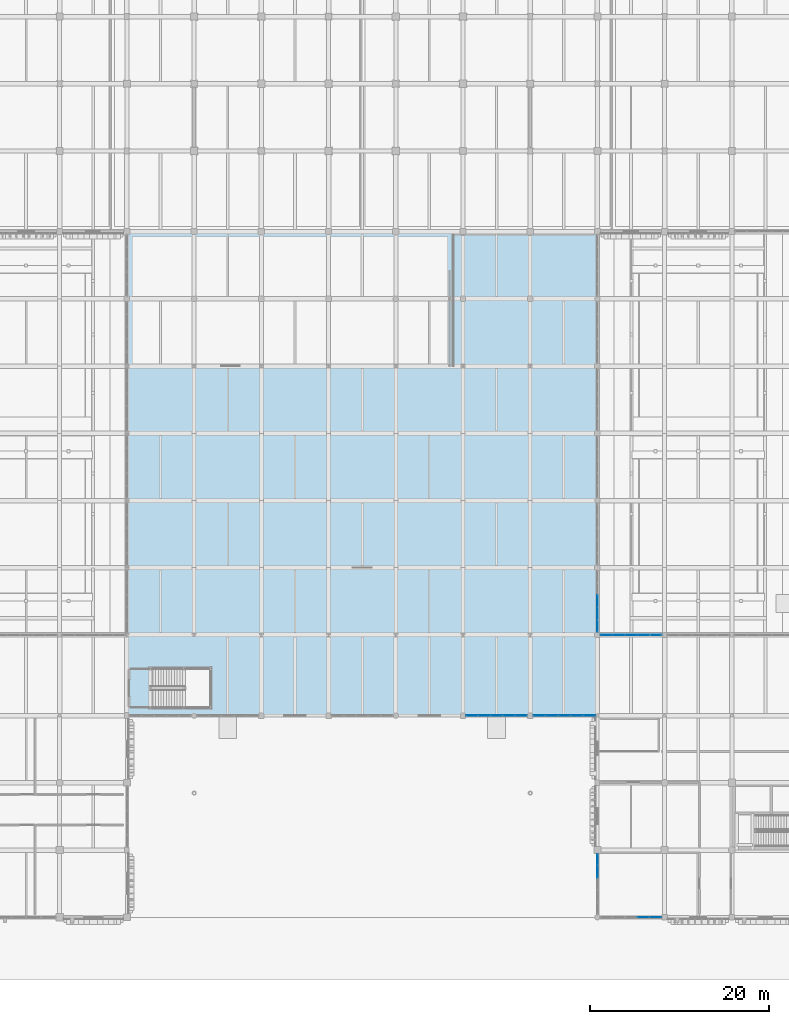
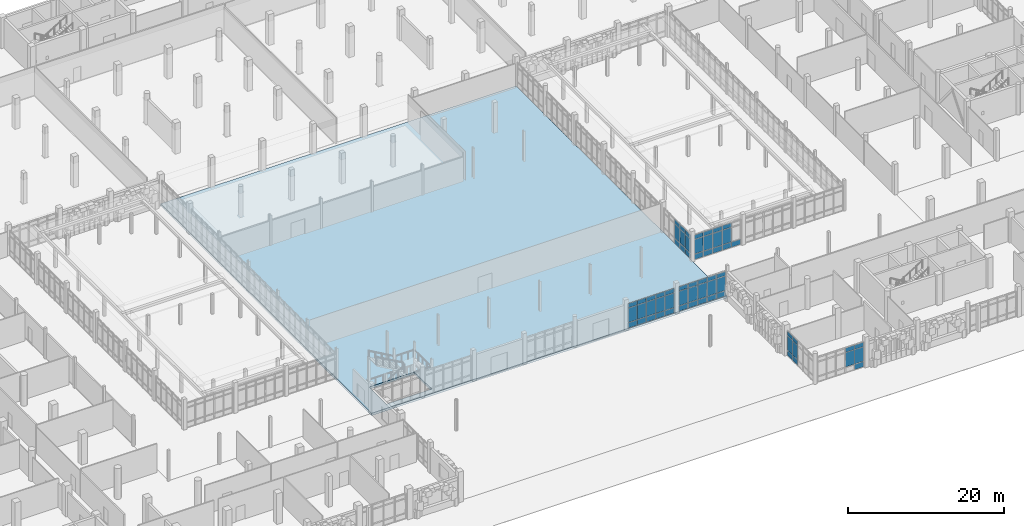
# One storey, part 75 of 125: 63 plates, 1 slab, 6 elements without a shape of their own.
"""IFC4 building model written with IfcOpenShell, lengths in metres."""

from ifc_helpers import new_model, si_unit, direction, frame, origin, origin_2d, place, context, subcontext, project, spatial, polyline, rectangle, outline, extrude, material, layer, layer_set, type_object, element, aggregate, save


model = new_model("IFC4")

# Units and contexts
model_context = context("Model", 3, precision=1e-05, world=origin(), true_north=direction((0.0, 1.0)))
body_context = subcontext(model_context, "Body", "Model", "MODEL_VIEW")
ifc_project = project(units=[si_unit("LENGTHUNIT", "METRE"), si_unit("AREAUNIT", "SQUARE_METRE"), si_unit("VOLUMEUNIT", "CUBIC_METRE"), si_unit("PLANEANGLEUNIT", "RADIAN"), si_unit("MASSUNIT", "GRAM", prefix="KILO")], contexts=[model_context])

# Site, building, storey
site_placement = place(None, origin())
site = spatial("IfcSite", under=ifc_project, at=site_placement, CompositionType="ELEMENT")
building_placement = place(site_placement, origin())
building = spatial("IfcBuilding", under=site, at=building_placement, Name="Dalvernix Boulevard General Hospital", CompositionType="ELEMENT")
storey_placement = place(building_placement, origin())
storey = spatial("IfcBuildingStorey", under=building, at=storey_placement, Name="L00", CompositionType="ELEMENT", Elevation=0.0)

# Curtain wall, plates
ifc_material_1 = material(Name="Thermally broken aluminium and solar-control glass curtain wall", Category="aluminium")
ifc_layer_1 = layer(ifc_material_1, 0.159912109375)
ifc_layer_set_1 = layer_set([ifc_layer_1], Name="Thermally broken aluminium and solar-control glass curtain wall (CW-CW-A-69x40)")
curtain_wall_type_1 = type_object("IfcCurtainWallType", Name="CW-CW-A-69x40", PredefinedType="USERDEFINED", material=ifc_layer_set_1)
curtain_wall_1_placement = place(storey_placement, origin())
curtain_wall_1 = element("IfcCurtainWall", 1, at=curtain_wall_1_placement, inside=storey, type_object=curtain_wall_type_1, Name="L00 curtain wall CW-A-69x40 15-0", ObjectType="GLAZED FACADE", PredefinedType="USERDEFINED")
ifc_material_2 = material(Name="Double-glazed solar-control low-emissivity glass", Category="glass")
ifc_layer_2 = layer(ifc_material_2, 0.02392578125)
ifc_layer_set_2 = layer_set([ifc_layer_2], Name="Double-glazed solar-control low-emissivity glass (PLT-CW-P1)")
plate_type_1 = type_object("IfcPlateType", Name="PLT-CW-P1", PredefinedType="CURTAIN_PANEL", material=ifc_layer_set_2)
plate_1_placement = place(storey_placement, frame((118.987060546875, 0.0, 0.06005859375), z_axis=(0.0, 0.0, 1.0), x_axis=(-1.0, 0.0, 0.0)))
plate_1 = element("IfcPlate", 2, at=plate_1_placement, type_object=plate_type_1, Name="CW-A-69x40 panel 1.1", PredefinedType="CURTAIN_PANEL", context=body_context, shape_type="SweptSolid", body=[
    extrude(rectangle(XDim=1.285888671875, YDim=0.02392578125, at=origin_2d()), origin(), (0.0, 0.0, 1.0), 0.81005859375),
])
plate_2_placement = place(storey_placement, frame((118.987060546875, 0.0, 0.93017578125), z_axis=(0.0, 0.0, 1.0), x_axis=(-1.0, 0.0, 0.0)))
plate_2 = element("IfcPlate", 3, at=plate_2_placement, type_object=plate_type_1, Name="CW-A-69x40 panel 1.2", PredefinedType="CURTAIN_PANEL", context=body_context, shape_type="SweptSolid", body=[
    extrude(rectangle(XDim=1.285888671875, YDim=0.02392578125, at=origin_2d()), origin(), (0.0, 0.0, 1.0), 2.239990234375),
])
plate_3_placement = place(storey_placement, frame((118.987060546875, 0.0, 3.22998046875), z_axis=(0.0, 0.0, 1.0), x_axis=(-1.0, 0.0, 0.0)))
plate_3 = element("IfcPlate", 4, at=plate_3_placement, type_object=plate_type_1, Name="CW-A-69x40 panel 1.3", PredefinedType="CURTAIN_PANEL", context=body_context, shape_type="SweptSolid", body=[
    extrude(rectangle(XDim=1.285888671875, YDim=0.02392578125, at=origin_2d()), origin(), (0.0, 0.0, 1.0), 0.659912109375),
])
plate_4_placement = place(storey_placement, frame((117.6259765625, 0.0, 0.93017578125), z_axis=(0.0, 0.0, 1.0), x_axis=(-1.0, 0.0, 0.0)))
plate_4 = element("IfcPlate", 5, at=plate_4_placement, type_object=plate_type_1, Name="CW-A-69x40 panel 2.2", PredefinedType="CURTAIN_PANEL", context=body_context, shape_type="SweptSolid", body=[
    extrude(rectangle(XDim=1.31591796875, YDim=0.02392578125, at=origin_2d()), origin(), (0.0, 0.0, 1.0), 2.239990234375),
])
plate_5_placement = place(storey_placement, frame((117.6259765625, 0.0, 3.22998046875), z_axis=(0.0, 0.0, 1.0), x_axis=(-1.0, 0.0, 0.0)))
plate_5 = element("IfcPlate", 6, at=plate_5_placement, type_object=plate_type_1, Name="CW-A-69x40 panel 2.3", PredefinedType="CURTAIN_PANEL", context=body_context, shape_type="SweptSolid", body=[
    extrude(rectangle(XDim=1.31591796875, YDim=0.02392578125, at=origin_2d()), origin(), (0.0, 0.0, 1.0), 0.659912109375),
])
aggregate(curtain_wall_1, [plate_1, plate_2, plate_3, plate_4, plate_5])

ifc_layer_3 = layer(ifc_material_1, 0.159912109375)
ifc_layer_set_3 = layer_set([ifc_layer_3], Name="Thermally broken aluminium and solar-control glass curtain wall (CW-CW-A-68x39)")
curtain_wall_type_2 = type_object("IfcCurtainWallType", Name="CW-CW-A-68x39", PredefinedType="USERDEFINED", material=ifc_layer_set_3)
curtain_wall_2_placement = place(storey_placement, origin())
curtain_wall_2 = element("IfcCurtainWall", 7, at=curtain_wall_2_placement, inside=storey, type_object=curtain_wall_type_2, Name="L00 curtain wall CW-A-68x39 15-0", ObjectType="GLAZED FACADE", PredefinedType="USERDEFINED")
plate_6_placement = place(storey_placement, frame((112.5, 5.073486328125, 0.06005859375), z_axis=(0.0, 0.0, 1.0), x_axis=(0.0, 1.0, 0.0)))
plate_6 = element("IfcPlate", 8, at=plate_6_placement, type_object=plate_type_1, Name="CW-A-68x39 panel 4.1", PredefinedType="CURTAIN_PANEL", context=body_context, shape_type="SweptSolid", body=[
    extrude(rectangle(XDim=1.301025390625, YDim=0.02392578125, at=origin_2d()), origin(), (0.0, 0.0, 1.0), 0.81005859375),
])
plate_7_placement = place(storey_placement, frame((112.5, 5.073486328125, 0.929931640625), z_axis=(0.0, 0.0, 1.0), x_axis=(0.0, 1.0, 0.0)))
plate_7 = element("IfcPlate", 9, at=plate_7_placement, type_object=plate_type_1, Name="CW-A-68x39 panel 4.2", PredefinedType="CURTAIN_PANEL", context=body_context, shape_type="SweptSolid", body=[
    extrude(rectangle(XDim=1.301025390625, YDim=0.02392578125, at=origin_2d()), origin(), (0.0, 0.0, 1.0), 2.18994140625),
])
plate_8_placement = place(storey_placement, frame((112.5, 5.073486328125, 3.18017578125), z_axis=(0.0, 0.0, 1.0), x_axis=(0.0, 1.0, 0.0)))
plate_8 = element("IfcPlate", 10, at=plate_8_placement, type_object=plate_type_1, Name="CW-A-68x39 panel 4.3", PredefinedType="CURTAIN_PANEL", context=body_context, shape_type="SweptSolid", body=[
    extrude(rectangle(XDim=1.301025390625, YDim=0.02392578125, at=origin_2d()), origin(), (0.0, 0.0, 1.0), 0.659912109375),
])
plate_9_placement = place(storey_placement, frame((112.5, 6.41943359375, 0.06005859375), z_axis=(0.0, 0.0, 1.0), x_axis=(0.0, 1.0, 0.0)))
plate_9 = element("IfcPlate", 11, at=plate_9_placement, type_object=plate_type_1, Name="CW-A-68x39 panel 5.1", PredefinedType="CURTAIN_PANEL", context=body_context, shape_type="SweptSolid", body=[
    extrude(rectangle(XDim=1.27099609375, YDim=0.02392578125, at=origin_2d()), origin(), (0.0, 0.0, 1.0), 0.81005859375),
])
plate_10_placement = place(storey_placement, frame((112.5, 6.41943359375, 0.929931640625), z_axis=(0.0, 0.0, 1.0), x_axis=(0.0, 1.0, 0.0)))
plate_10 = element("IfcPlate", 12, at=plate_10_placement, type_object=plate_type_1, Name="CW-A-68x39 panel 5.2", PredefinedType="CURTAIN_PANEL", context=body_context, shape_type="SweptSolid", body=[
    extrude(rectangle(XDim=1.27099609375, YDim=0.02392578125, at=origin_2d()), origin(), (0.0, 0.0, 1.0), 2.18994140625),
])
plate_11_placement = place(storey_placement, frame((112.5, 6.41943359375, 3.18017578125), z_axis=(0.0, 0.0, 1.0), x_axis=(0.0, 1.0, 0.0)))
plate_11 = element("IfcPlate", 13, at=plate_11_placement, type_object=plate_type_1, Name="CW-A-68x39 panel 5.3", PredefinedType="CURTAIN_PANEL", context=body_context, shape_type="SweptSolid", body=[
    extrude(rectangle(XDim=1.27099609375, YDim=0.02392578125, at=origin_2d()), origin(), (0.0, 0.0, 1.0), 0.659912109375),
])
aggregate(curtain_wall_2, [plate_6, plate_7, plate_8, plate_9, plate_10, plate_11])

ifc_layer_4 = layer(ifc_material_1, 0.179931640625)
ifc_layer_set_4 = layer_set([ifc_layer_4], Name="Thermally broken aluminium and solar-control glass curtain wall (CW-CW-B-69x40)")
curtain_wall_type_3 = type_object("IfcCurtainWallType", Name="CW-CW-B-69x40", PredefinedType="USERDEFINED", material=ifc_layer_set_4)
curtain_wall_3_placement = place(storey_placement, origin())
curtain_wall_3 = element("IfcCurtainWall", 14, at=curtain_wall_3_placement, inside=storey, type_object=curtain_wall_type_3, Name="L00 curtain wall CW-B-69x40 13-3", ObjectType="GLAZED FACADE", PredefinedType="USERDEFINED")
ifc_layer_5 = layer(ifc_material_2, 0.028076171875)
ifc_layer_set_5 = layer_set([ifc_layer_5], Name="Double-glazed solar-control low-emissivity glass (PLT-CW-P2)")
plate_type_2 = type_object("IfcPlateType", Name="PLT-CW-P2", PredefinedType="CURTAIN_PANEL", material=ifc_layer_set_5)
plate_12_placement = place(storey_placement, frame((103.98583984375, 22.5, 0.06494140625), z_axis=(0.0, 0.0, 1.0), x_axis=(-1.0, 0.0, 0.0)))
plate_12 = element("IfcPlate", 15, at=plate_12_placement, type_object=plate_type_2, Name="CW-B-69x40 panel 1.1", PredefinedType="CURTAIN_PANEL", context=body_context, shape_type="SweptSolid", body=[
    extrude(rectangle(XDim=1.278564453125, YDim=0.028076171875, at=origin_2d()), origin(), (0.0, 0.0, 1.0), 0.802490234375),
])
plate_13_placement = place(storey_placement, frame((103.98583984375, 22.5, 0.9326171875), z_axis=(0.0, 0.0, 1.0), x_axis=(-1.0, 0.0, 0.0)))
plate_13 = element("IfcPlate", 16, at=plate_13_placement, type_object=plate_type_2, Name="CW-B-69x40 panel 1.2", PredefinedType="CURTAIN_PANEL", context=body_context, shape_type="SweptSolid", body=[
    extrude(rectangle(XDim=1.278564453125, YDim=0.028076171875, at=origin_2d()), origin(), (0.0, 0.0, 1.0), 2.235107421875),
])
plate_14_placement = place(storey_placement, frame((103.98583984375, 22.5, 3.232421875), z_axis=(0.0, 0.0, 1.0), x_axis=(-1.0, 0.0, 0.0)))
plate_14 = element("IfcPlate", 17, at=plate_14_placement, type_object=plate_type_2, Name="CW-B-69x40 panel 1.3", PredefinedType="CURTAIN_PANEL", context=body_context, shape_type="SweptSolid", body=[
    extrude(rectangle(XDim=1.278564453125, YDim=0.028076171875, at=origin_2d()), origin(), (0.0, 0.0, 1.0), 0.652587890625),
])
plate_15_placement = place(storey_placement, frame((102.6259765625, 22.5, 0.06494140625), z_axis=(0.0, 0.0, 1.0), x_axis=(-1.0, 0.0, 0.0)))
plate_15 = element("IfcPlate", 18, at=plate_15_placement, type_object=plate_type_2, Name="CW-B-69x40 panel 2.1", PredefinedType="CURTAIN_PANEL", context=body_context, shape_type="SweptSolid", body=[
    extrude(rectangle(XDim=1.31103515625, YDim=0.028076171875, at=origin_2d()), origin(), (0.0, 0.0, 1.0), 0.802490234375),
])
plate_16_placement = place(storey_placement, frame((102.6259765625, 22.5, 0.9326171875), z_axis=(0.0, 0.0, 1.0), x_axis=(-1.0, 0.0, 0.0)))
plate_16 = element("IfcPlate", 19, at=plate_16_placement, type_object=plate_type_2, Name="CW-B-69x40 panel 2.2", PredefinedType="CURTAIN_PANEL", context=body_context, shape_type="SweptSolid", body=[
    extrude(rectangle(XDim=1.31103515625, YDim=0.028076171875, at=origin_2d()), origin(), (0.0, 0.0, 1.0), 2.235107421875),
])
plate_17_placement = place(storey_placement, frame((102.6259765625, 22.5, 3.232421875), z_axis=(0.0, 0.0, 1.0), x_axis=(-1.0, 0.0, 0.0)))
plate_17 = element("IfcPlate", 20, at=plate_17_placement, type_object=plate_type_2, Name="CW-B-69x40 panel 2.3", PredefinedType="CURTAIN_PANEL", context=body_context, shape_type="SweptSolid", body=[
    extrude(rectangle(XDim=1.31103515625, YDim=0.028076171875, at=origin_2d()), origin(), (0.0, 0.0, 1.0), 0.652587890625),
])
plate_18_placement = place(storey_placement, frame((101.25, 22.5, 0.06494140625), z_axis=(0.0, 0.0, 1.0), x_axis=(-1.0, 0.0, 0.0)))
plate_18 = element("IfcPlate", 21, at=plate_18_placement, type_object=plate_type_2, Name="CW-B-69x40 panel 3.1", PredefinedType="CURTAIN_PANEL", context=body_context, shape_type="SweptSolid", body=[
    extrude(rectangle(XDim=1.31103515625, YDim=0.028076171875, at=origin_2d()), origin(), (0.0, 0.0, 1.0), 0.802490234375),
])
plate_19_placement = place(storey_placement, frame((101.25, 22.5, 0.9326171875), z_axis=(0.0, 0.0, 1.0), x_axis=(-1.0, 0.0, 0.0)))
plate_19 = element("IfcPlate", 22, at=plate_19_placement, type_object=plate_type_2, Name="CW-B-69x40 panel 3.2", PredefinedType="CURTAIN_PANEL", context=body_context, shape_type="SweptSolid", body=[
    extrude(rectangle(XDim=1.31103515625, YDim=0.028076171875, at=origin_2d()), origin(), (0.0, 0.0, 1.0), 2.235107421875),
])
plate_20_placement = place(storey_placement, frame((101.25, 22.5, 3.232421875), z_axis=(0.0, 0.0, 1.0), x_axis=(-1.0, 0.0, 0.0)))
plate_20 = element("IfcPlate", 23, at=plate_20_placement, type_object=plate_type_2, Name="CW-B-69x40 panel 3.3", PredefinedType="CURTAIN_PANEL", context=body_context, shape_type="SweptSolid", body=[
    extrude(rectangle(XDim=1.31103515625, YDim=0.028076171875, at=origin_2d()), origin(), (0.0, 0.0, 1.0), 0.652587890625),
])
plate_21_placement = place(storey_placement, frame((99.8740234375, 22.5, 0.06494140625), z_axis=(0.0, 0.0, 1.0), x_axis=(-1.0, 0.0, 0.0)))
plate_21 = element("IfcPlate", 24, at=plate_21_placement, type_object=plate_type_2, Name="CW-B-69x40 panel 4.1", PredefinedType="CURTAIN_PANEL", context=body_context, shape_type="SweptSolid", body=[
    extrude(rectangle(XDim=1.31103515625, YDim=0.028076171875, at=origin_2d()), origin(), (0.0, 0.0, 1.0), 0.802490234375),
])
plate_22_placement = place(storey_placement, frame((99.8740234375, 22.5, 0.9326171875), z_axis=(0.0, 0.0, 1.0), x_axis=(-1.0, 0.0, 0.0)))
plate_22 = element("IfcPlate", 25, at=plate_22_placement, type_object=plate_type_2, Name="CW-B-69x40 panel 4.2", PredefinedType="CURTAIN_PANEL", context=body_context, shape_type="SweptSolid", body=[
    extrude(rectangle(XDim=1.31103515625, YDim=0.028076171875, at=origin_2d()), origin(), (0.0, 0.0, 1.0), 2.235107421875),
])
plate_23_placement = place(storey_placement, frame((99.8740234375, 22.5, 3.232421875), z_axis=(0.0, 0.0, 1.0), x_axis=(-1.0, 0.0, 0.0)))
plate_23 = element("IfcPlate", 26, at=plate_23_placement, type_object=plate_type_2, Name="CW-B-69x40 panel 4.3", PredefinedType="CURTAIN_PANEL", context=body_context, shape_type="SweptSolid", body=[
    extrude(rectangle(XDim=1.31103515625, YDim=0.028076171875, at=origin_2d()), origin(), (0.0, 0.0, 1.0), 0.652587890625),
])
plate_24_placement = place(storey_placement, frame((98.51416015625, 22.5, 0.06494140625), z_axis=(0.0, 0.0, 1.0), x_axis=(-1.0, 0.0, 0.0)))
plate_24 = element("IfcPlate", 27, at=plate_24_placement, type_object=plate_type_2, Name="CW-B-69x40 panel 5.1", PredefinedType="CURTAIN_PANEL", context=body_context, shape_type="SweptSolid", body=[
    extrude(rectangle(XDim=1.278564453125, YDim=0.028076171875, at=origin_2d()), origin(), (0.0, 0.0, 1.0), 0.802490234375),
])
plate_25_placement = place(storey_placement, frame((98.51416015625, 22.5, 0.9326171875), z_axis=(0.0, 0.0, 1.0), x_axis=(-1.0, 0.0, 0.0)))
plate_25 = element("IfcPlate", 28, at=plate_25_placement, type_object=plate_type_2, Name="CW-B-69x40 panel 5.2", PredefinedType="CURTAIN_PANEL", context=body_context, shape_type="SweptSolid", body=[
    extrude(rectangle(XDim=1.278564453125, YDim=0.028076171875, at=origin_2d()), origin(), (0.0, 0.0, 1.0), 2.235107421875),
])
plate_26_placement = place(storey_placement, frame((98.51416015625, 22.5, 3.232421875), z_axis=(0.0, 0.0, 1.0), x_axis=(-1.0, 0.0, 0.0)))
plate_26 = element("IfcPlate", 29, at=plate_26_placement, type_object=plate_type_2, Name="CW-B-69x40 panel 5.3", PredefinedType="CURTAIN_PANEL", context=body_context, shape_type="SweptSolid", body=[
    extrude(rectangle(XDim=1.278564453125, YDim=0.028076171875, at=origin_2d()), origin(), (0.0, 0.0, 1.0), 0.652587890625),
])
aggregate(curtain_wall_3, [plate_12, plate_13, plate_14, plate_15, plate_16, plate_17, plate_18, plate_19, plate_20, plate_21, plate_22, plate_23, plate_24, plate_25, plate_26])

ifc_layer_6 = layer(ifc_material_1, 0.179931640625)
ifc_layer_set_6 = layer_set([ifc_layer_6], Name="Thermally broken aluminium and solar-control glass curtain wall (CW-CW-B-69x39)")
curtain_wall_type_4 = type_object("IfcCurtainWallType", Name="CW-CW-B-69x39", PredefinedType="USERDEFINED", material=ifc_layer_set_6)
curtain_wall_4_placement = place(storey_placement, origin())
curtain_wall_4 = element("IfcCurtainWall", 30, at=curtain_wall_4_placement, inside=storey, type_object=curtain_wall_type_4, Name="L00 curtain wall CW-B-69x39 15-4", ObjectType="GLAZED FACADE", PredefinedType="USERDEFINED")
plate_27_placement = place(storey_placement, frame((112.5, 35.25, 0.06494140625), z_axis=(0.0, 0.0, 1.0), x_axis=(0.0, -1.0, 0.0)))
plate_27 = element("IfcPlate", 31, at=plate_27_placement, type_object=plate_type_2, Name="CW-B-69x39 panel 3.1", PredefinedType="CURTAIN_PANEL", context=body_context, shape_type="SweptSolid", body=[
    extrude(rectangle(XDim=1.31103515625, YDim=0.028076171875, at=origin_2d()), origin(), (0.0, 0.0, 1.0), 0.802490234375),
])
plate_28_placement = place(storey_placement, frame((112.5, 35.25, 0.932373046875), z_axis=(0.0, 0.0, 1.0), x_axis=(0.0, -1.0, 0.0)))
plate_28 = element("IfcPlate", 32, at=plate_28_placement, type_object=plate_type_2, Name="CW-B-69x39 panel 3.2", PredefinedType="CURTAIN_PANEL", context=body_context, shape_type="SweptSolid", body=[
    extrude(rectangle(XDim=1.31103515625, YDim=0.028076171875, at=origin_2d()), origin(), (0.0, 0.0, 1.0), 2.18505859375),
])
plate_29_placement = place(storey_placement, frame((112.5, 35.25, 3.1826171875), z_axis=(0.0, 0.0, 1.0), x_axis=(0.0, -1.0, 0.0)))
plate_29 = element("IfcPlate", 33, at=plate_29_placement, type_object=plate_type_2, Name="CW-B-69x39 panel 3.3", PredefinedType="CURTAIN_PANEL", context=body_context, shape_type="SweptSolid", body=[
    extrude(rectangle(XDim=1.31103515625, YDim=0.028076171875, at=origin_2d()), origin(), (0.0, 0.0, 1.0), 0.652587890625),
])
plate_30_placement = place(storey_placement, frame((112.5, 33.8740234375, 0.06494140625), z_axis=(0.0, 0.0, 1.0), x_axis=(0.0, -1.0, 0.0)))
plate_30 = element("IfcPlate", 34, at=plate_30_placement, type_object=plate_type_2, Name="CW-B-69x39 panel 4.1", PredefinedType="CURTAIN_PANEL", context=body_context, shape_type="SweptSolid", body=[
    extrude(rectangle(XDim=1.31103515625, YDim=0.028076171875, at=origin_2d()), origin(), (0.0, 0.0, 1.0), 0.802490234375),
])
plate_31_placement = place(storey_placement, frame((112.5, 33.8740234375, 0.932373046875), z_axis=(0.0, 0.0, 1.0), x_axis=(0.0, -1.0, 0.0)))
plate_31 = element("IfcPlate", 35, at=plate_31_placement, type_object=plate_type_2, Name="CW-B-69x39 panel 4.2", PredefinedType="CURTAIN_PANEL", context=body_context, shape_type="SweptSolid", body=[
    extrude(rectangle(XDim=1.31103515625, YDim=0.028076171875, at=origin_2d()), origin(), (0.0, 0.0, 1.0), 2.18505859375),
])
plate_32_placement = place(storey_placement, frame((112.5, 33.8740234375, 3.1826171875), z_axis=(0.0, 0.0, 1.0), x_axis=(0.0, -1.0, 0.0)))
plate_32 = element("IfcPlate", 36, at=plate_32_placement, type_object=plate_type_2, Name="CW-B-69x39 panel 4.3", PredefinedType="CURTAIN_PANEL", context=body_context, shape_type="SweptSolid", body=[
    extrude(rectangle(XDim=1.31103515625, YDim=0.028076171875, at=origin_2d()), origin(), (0.0, 0.0, 1.0), 0.652587890625),
])
plate_33_placement = place(storey_placement, frame((112.5, 32.51416015625, 0.06494140625), z_axis=(0.0, 0.0, 1.0), x_axis=(0.0, -1.0, 0.0)))
plate_33 = element("IfcPlate", 37, at=plate_33_placement, type_object=plate_type_2, Name="CW-B-69x39 panel 5.1", PredefinedType="CURTAIN_PANEL", context=body_context, shape_type="SweptSolid", body=[
    extrude(rectangle(XDim=1.278564453125, YDim=0.028076171875, at=origin_2d()), origin(), (0.0, 0.0, 1.0), 0.802490234375),
])
plate_34_placement = place(storey_placement, frame((112.5, 32.51416015625, 0.932373046875), z_axis=(0.0, 0.0, 1.0), x_axis=(0.0, -1.0, 0.0)))
plate_34 = element("IfcPlate", 38, at=plate_34_placement, type_object=plate_type_2, Name="CW-B-69x39 panel 5.2", PredefinedType="CURTAIN_PANEL", context=body_context, shape_type="SweptSolid", body=[
    extrude(rectangle(XDim=1.278564453125, YDim=0.028076171875, at=origin_2d()), origin(), (0.0, 0.0, 1.0), 2.18505859375),
])
plate_35_placement = place(storey_placement, frame((112.5, 32.51416015625, 3.1826171875), z_axis=(0.0, 0.0, 1.0), x_axis=(0.0, -1.0, 0.0)))
plate_35 = element("IfcPlate", 39, at=plate_35_placement, type_object=plate_type_2, Name="CW-B-69x39 panel 5.3", PredefinedType="CURTAIN_PANEL", context=body_context, shape_type="SweptSolid", body=[
    extrude(rectangle(XDim=1.278564453125, YDim=0.028076171875, at=origin_2d()), origin(), (0.0, 0.0, 1.0), 0.652587890625),
])
aggregate(curtain_wall_4, [plate_27, plate_28, plate_29, plate_30, plate_31, plate_32, plate_33, plate_34, plate_35])

curtain_wall_5_placement = place(storey_placement, origin())
curtain_wall_5 = element("IfcCurtainWall", 40, at=curtain_wall_5_placement, inside=storey, type_object=curtain_wall_type_3, Name="L00 curtain wall CW-B-69x40 15-4", ObjectType="GLAZED FACADE", PredefinedType="USERDEFINED")
plate_36_placement = place(storey_placement, frame((113.516845703125, 31.5, 0.06494140625), z_axis=(0.0, 0.0, 1.0), x_axis=(1.0, 0.0, 0.0)))
plate_36 = element("IfcPlate", 41, at=plate_36_placement, type_object=plate_type_2, Name="CW-B-69x40 panel 1.1", PredefinedType="CURTAIN_PANEL", context=body_context, shape_type="SweptSolid", body=[
    extrude(rectangle(XDim=1.283447265625, YDim=0.028076171875, at=origin_2d()), origin(), (0.0, 0.0, 1.0), 0.802490234375),
])
plate_37_placement = place(storey_placement, frame((113.516845703125, 31.5, 0.9326171875), z_axis=(0.0, 0.0, 1.0), x_axis=(1.0, 0.0, 0.0)))
plate_37 = element("IfcPlate", 42, at=plate_37_placement, type_object=plate_type_2, Name="CW-B-69x40 panel 1.2", PredefinedType="CURTAIN_PANEL", context=body_context, shape_type="SweptSolid", body=[
    extrude(rectangle(XDim=1.283447265625, YDim=0.028076171875, at=origin_2d()), origin(), (0.0, 0.0, 1.0), 2.235107421875),
])
plate_38_placement = place(storey_placement, frame((113.516845703125, 31.5, 3.232421875), z_axis=(0.0, 0.0, 1.0), x_axis=(1.0, 0.0, 0.0)))
plate_38 = element("IfcPlate", 43, at=plate_38_placement, type_object=plate_type_2, Name="CW-B-69x40 panel 1.3", PredefinedType="CURTAIN_PANEL", context=body_context, shape_type="SweptSolid", body=[
    extrude(rectangle(XDim=1.283447265625, YDim=0.028076171875, at=origin_2d()), origin(), (0.0, 0.0, 1.0), 0.652587890625),
])
plate_39_placement = place(storey_placement, frame((114.881591796875, 31.5, 0.06494140625), z_axis=(0.0, 0.0, 1.0), x_axis=(1.0, 0.0, 0.0)))
plate_39 = element("IfcPlate", 44, at=plate_39_placement, type_object=plate_type_2, Name="CW-B-69x40 panel 2.1", PredefinedType="CURTAIN_PANEL", context=body_context, shape_type="SweptSolid", body=[
    extrude(rectangle(XDim=1.31591796875, YDim=0.028076171875, at=origin_2d()), origin(), (0.0, 0.0, 1.0), 0.802490234375),
])
plate_40_placement = place(storey_placement, frame((114.881591796875, 31.5, 0.9326171875), z_axis=(0.0, 0.0, 1.0), x_axis=(1.0, 0.0, 0.0)))
plate_40 = element("IfcPlate", 45, at=plate_40_placement, type_object=plate_type_2, Name="CW-B-69x40 panel 2.2", PredefinedType="CURTAIN_PANEL", context=body_context, shape_type="SweptSolid", body=[
    extrude(rectangle(XDim=1.31591796875, YDim=0.028076171875, at=origin_2d()), origin(), (0.0, 0.0, 1.0), 2.235107421875),
])
plate_41_placement = place(storey_placement, frame((114.881591796875, 31.5, 3.232421875), z_axis=(0.0, 0.0, 1.0), x_axis=(1.0, 0.0, 0.0)))
plate_41 = element("IfcPlate", 46, at=plate_41_placement, type_object=plate_type_2, Name="CW-B-69x40 panel 2.3", PredefinedType="CURTAIN_PANEL", context=body_context, shape_type="SweptSolid", body=[
    extrude(rectangle(XDim=1.31591796875, YDim=0.028076171875, at=origin_2d()), origin(), (0.0, 0.0, 1.0), 0.652587890625),
])
plate_42_placement = place(storey_placement, frame((116.262451171875, 31.5, 0.06494140625), z_axis=(0.0, 0.0, 1.0), x_axis=(1.0, 0.0, 0.0)))
plate_42 = element("IfcPlate", 47, at=plate_42_placement, type_object=plate_type_2, Name="CW-B-69x40 panel 3.1", PredefinedType="CURTAIN_PANEL", context=body_context, shape_type="SweptSolid", body=[
    extrude(rectangle(XDim=1.31591796875, YDim=0.028076171875, at=origin_2d()), origin(), (0.0, 0.0, 1.0), 0.802490234375),
])
plate_43_placement = place(storey_placement, frame((116.262451171875, 31.5, 0.9326171875), z_axis=(0.0, 0.0, 1.0), x_axis=(1.0, 0.0, 0.0)))
plate_43 = element("IfcPlate", 48, at=plate_43_placement, type_object=plate_type_2, Name="CW-B-69x40 panel 3.2", PredefinedType="CURTAIN_PANEL", context=body_context, shape_type="SweptSolid", body=[
    extrude(rectangle(XDim=1.31591796875, YDim=0.028076171875, at=origin_2d()), origin(), (0.0, 0.0, 1.0), 2.235107421875),
])
plate_44_placement = place(storey_placement, frame((116.262451171875, 31.5, 3.232421875), z_axis=(0.0, 0.0, 1.0), x_axis=(1.0, 0.0, 0.0)))
plate_44 = element("IfcPlate", 49, at=plate_44_placement, type_object=plate_type_2, Name="CW-B-69x40 panel 3.3", PredefinedType="CURTAIN_PANEL", context=body_context, shape_type="SweptSolid", body=[
    extrude(rectangle(XDim=1.31591796875, YDim=0.028076171875, at=origin_2d()), origin(), (0.0, 0.0, 1.0), 0.652587890625),
])
plate_45_placement = place(storey_placement, frame((117.6435546875, 31.5, 0.06494140625), z_axis=(0.0, 0.0, 1.0), x_axis=(1.0, 0.0, 0.0)))
plate_45 = element("IfcPlate", 50, at=plate_45_placement, type_object=plate_type_2, Name="CW-B-69x40 panel 4.1", PredefinedType="CURTAIN_PANEL", context=body_context, shape_type="SweptSolid", body=[
    extrude(rectangle(XDim=1.31591796875, YDim=0.028076171875, at=origin_2d()), origin(), (0.0, 0.0, 1.0), 0.802490234375),
])
plate_46_placement = place(storey_placement, frame((117.6435546875, 31.5, 0.9326171875), z_axis=(0.0, 0.0, 1.0), x_axis=(1.0, 0.0, 0.0)))
plate_46 = element("IfcPlate", 51, at=plate_46_placement, type_object=plate_type_2, Name="CW-B-69x40 panel 4.2", PredefinedType="CURTAIN_PANEL", context=body_context, shape_type="SweptSolid", body=[
    extrude(rectangle(XDim=1.31591796875, YDim=0.028076171875, at=origin_2d()), origin(), (0.0, 0.0, 1.0), 2.235107421875),
])
plate_47_placement = place(storey_placement, frame((117.6435546875, 31.5, 3.232421875), z_axis=(0.0, 0.0, 1.0), x_axis=(1.0, 0.0, 0.0)))
plate_47 = element("IfcPlate", 52, at=plate_47_placement, type_object=plate_type_2, Name="CW-B-69x40 panel 4.3", PredefinedType="CURTAIN_PANEL", context=body_context, shape_type="SweptSolid", body=[
    extrude(rectangle(XDim=1.31591796875, YDim=0.028076171875, at=origin_2d()), origin(), (0.0, 0.0, 1.0), 0.652587890625),
])
plate_48_placement = place(storey_placement, frame((119.00830078125, 31.5, 0.06494140625), z_axis=(0.0, 0.0, 1.0), x_axis=(1.0, 0.0, 0.0)))
plate_48 = element("IfcPlate", 53, at=plate_48_placement, type_object=plate_type_2, Name="CW-B-69x40 panel 5.1", PredefinedType="CURTAIN_PANEL", context=body_context, shape_type="SweptSolid", body=[
    extrude(rectangle(XDim=1.283447265625, YDim=0.028076171875, at=origin_2d()), origin(), (0.0, 0.0, 1.0), 0.802490234375),
])
aggregate(curtain_wall_5, [plate_36, plate_37, plate_38, plate_39, plate_40, plate_41, plate_42, plate_43, plate_44, plate_45, plate_46, plate_47, plate_48])

ifc_layer_7 = layer(ifc_material_1, 0.199951171875)
ifc_layer_set_7 = layer_set([ifc_layer_7], Name="Thermally broken aluminium and solar-control glass curtain wall (CW-CW-C-70x40)")
curtain_wall_type_5 = type_object("IfcCurtainWallType", Name="CW-CW-C-70x40", PredefinedType="USERDEFINED", material=ifc_layer_set_7)
curtain_wall_6_placement = place(storey_placement, origin())
curtain_wall_6 = element("IfcCurtainWall", 54, at=curtain_wall_6_placement, inside=storey, type_object=curtain_wall_type_5, Name="L00 curtain wall CW-C-70x40 14-3", ObjectType="GLAZED FACADE", PredefinedType="USERDEFINED")
ifc_layer_8 = layer(ifc_material_2, 0.035888671875)
ifc_layer_set_8 = layer_set([ifc_layer_8], Name="Double-glazed solar-control low-emissivity glass (PLT-CW-P3)")
plate_type_3 = type_object("IfcPlateType", Name="PLT-CW-P3", PredefinedType="CURTAIN_PANEL", material=ifc_layer_set_8)
plate_49_placement = place(storey_placement, frame((111.610595703125, 22.5, 0.070068359375), z_axis=(0.0, 0.0, 1.0), x_axis=(-1.0, 0.0, 0.0)))
plate_49 = element("IfcPlate", 55, at=plate_49_placement, type_object=plate_type_3, Name="CW-C-70x40 panel 1.1", PredefinedType="CURTAIN_PANEL", context=body_context, shape_type="SweptSolid", body=[
    extrude(rectangle(XDim=1.299072265625, YDim=0.035888671875, at=origin_2d()), origin(), (0.0, 0.0, 1.0), 0.794921875),
])
plate_50_placement = place(storey_placement, frame((111.610595703125, 22.5, 0.93505859375), z_axis=(0.0, 0.0, 1.0), x_axis=(-1.0, 0.0, 0.0)))
plate_50 = element("IfcPlate", 56, at=plate_50_placement, type_object=plate_type_3, Name="CW-C-70x40 panel 1.2", PredefinedType="CURTAIN_PANEL", context=body_context, shape_type="SweptSolid", body=[
    extrude(rectangle(XDim=1.299072265625, YDim=0.035888671875, at=origin_2d()), origin(), (0.0, 0.0, 1.0), 2.22998046875),
])
plate_51_placement = place(storey_placement, frame((111.610595703125, 22.5, 3.235107421875), z_axis=(0.0, 0.0, 1.0), x_axis=(-1.0, 0.0, 0.0)))
plate_51 = element("IfcPlate", 57, at=plate_51_placement, type_object=plate_type_3, Name="CW-C-70x40 panel 1.3", PredefinedType="CURTAIN_PANEL", context=body_context, shape_type="SweptSolid", body=[
    extrude(rectangle(XDim=1.299072265625, YDim=0.035888671875, at=origin_2d()), origin(), (0.0, 0.0, 1.0), 0.64501953125),
])
plate_52_placement = place(storey_placement, frame((110.22412109375, 22.5, 0.070068359375), z_axis=(0.0, 0.0, 1.0), x_axis=(-1.0, 0.0, 0.0)))
plate_52 = element("IfcPlate", 58, at=plate_52_placement, type_object=plate_type_3, Name="CW-C-70x40 panel 2.1", PredefinedType="CURTAIN_PANEL", context=body_context, shape_type="SweptSolid", body=[
    extrude(rectangle(XDim=1.333984375, YDim=0.035888671875, at=origin_2d()), origin(), (0.0, 0.0, 1.0), 0.794921875),
])
plate_53_placement = place(storey_placement, frame((110.22412109375, 22.5, 0.93505859375), z_axis=(0.0, 0.0, 1.0), x_axis=(-1.0, 0.0, 0.0)))
plate_53 = element("IfcPlate", 59, at=plate_53_placement, type_object=plate_type_3, Name="CW-C-70x40 panel 2.2", PredefinedType="CURTAIN_PANEL", context=body_context, shape_type="SweptSolid", body=[
    extrude(rectangle(XDim=1.333984375, YDim=0.035888671875, at=origin_2d()), origin(), (0.0, 0.0, 1.0), 2.22998046875),
])
plate_54_placement = place(storey_placement, frame((110.22412109375, 22.5, 3.235107421875), z_axis=(0.0, 0.0, 1.0), x_axis=(-1.0, 0.0, 0.0)))
plate_54 = element("IfcPlate", 60, at=plate_54_placement, type_object=plate_type_3, Name="CW-C-70x40 panel 2.3", PredefinedType="CURTAIN_PANEL", context=body_context, shape_type="SweptSolid", body=[
    extrude(rectangle(XDim=1.333984375, YDim=0.035888671875, at=origin_2d()), origin(), (0.0, 0.0, 1.0), 0.64501953125),
])
plate_55_placement = place(storey_placement, frame((108.820068359375, 22.5, 0.070068359375), z_axis=(0.0, 0.0, 1.0), x_axis=(-1.0, 0.0, 0.0)))
plate_55 = element("IfcPlate", 61, at=plate_55_placement, type_object=plate_type_3, Name="CW-C-70x40 panel 3.1", PredefinedType="CURTAIN_PANEL", context=body_context, shape_type="SweptSolid", body=[
    extrude(rectangle(XDim=1.333984375, YDim=0.035888671875, at=origin_2d()), origin(), (0.0, 0.0, 1.0), 0.794921875),
])
plate_56_placement = place(storey_placement, frame((108.820068359375, 22.5, 0.93505859375), z_axis=(0.0, 0.0, 1.0), x_axis=(-1.0, 0.0, 0.0)))
plate_56 = element("IfcPlate", 62, at=plate_56_placement, type_object=plate_type_3, Name="CW-C-70x40 panel 3.2", PredefinedType="CURTAIN_PANEL", context=body_context, shape_type="SweptSolid", body=[
    extrude(rectangle(XDim=1.333984375, YDim=0.035888671875, at=origin_2d()), origin(), (0.0, 0.0, 1.0), 2.22998046875),
])
plate_57_placement = place(storey_placement, frame((108.820068359375, 22.5, 3.235107421875), z_axis=(0.0, 0.0, 1.0), x_axis=(-1.0, 0.0, 0.0)))
plate_57 = element("IfcPlate", 63, at=plate_57_placement, type_object=plate_type_3, Name="CW-C-70x40 panel 3.3", PredefinedType="CURTAIN_PANEL", context=body_context, shape_type="SweptSolid", body=[
    extrude(rectangle(XDim=1.333984375, YDim=0.035888671875, at=origin_2d()), origin(), (0.0, 0.0, 1.0), 0.64501953125),
])
plate_58_placement = place(storey_placement, frame((107.416015625, 22.5, 0.070068359375), z_axis=(0.0, 0.0, 1.0), x_axis=(-1.0, 0.0, 0.0)))
plate_58 = element("IfcPlate", 64, at=plate_58_placement, type_object=plate_type_3, Name="CW-C-70x40 panel 4.1", PredefinedType="CURTAIN_PANEL", context=body_context, shape_type="SweptSolid", body=[
    extrude(rectangle(XDim=1.333984375, YDim=0.035888671875, at=origin_2d()), origin(), (0.0, 0.0, 1.0), 0.794921875),
])
plate_59_placement = place(storey_placement, frame((107.416015625, 22.5, 0.93505859375), z_axis=(0.0, 0.0, 1.0), x_axis=(-1.0, 0.0, 0.0)))
plate_59 = element("IfcPlate", 65, at=plate_59_placement, type_object=plate_type_3, Name="CW-C-70x40 panel 4.2", PredefinedType="CURTAIN_PANEL", context=body_context, shape_type="SweptSolid", body=[
    extrude(rectangle(XDim=1.333984375, YDim=0.035888671875, at=origin_2d()), origin(), (0.0, 0.0, 1.0), 2.22998046875),
])
plate_60_placement = place(storey_placement, frame((107.416015625, 22.5, 3.235107421875), z_axis=(0.0, 0.0, 1.0), x_axis=(-1.0, 0.0, 0.0)))
plate_60 = element("IfcPlate", 66, at=plate_60_placement, type_object=plate_type_3, Name="CW-C-70x40 panel 4.3", PredefinedType="CURTAIN_PANEL", context=body_context, shape_type="SweptSolid", body=[
    extrude(rectangle(XDim=1.333984375, YDim=0.035888671875, at=origin_2d()), origin(), (0.0, 0.0, 1.0), 0.64501953125),
])
plate_61_placement = place(storey_placement, frame((106.029541015625, 22.5, 0.070068359375), z_axis=(0.0, 0.0, 1.0), x_axis=(-1.0, 0.0, 0.0)))
plate_61 = element("IfcPlate", 67, at=plate_61_placement, type_object=plate_type_3, Name="CW-C-70x40 panel 5.1", PredefinedType="CURTAIN_PANEL", context=body_context, shape_type="SweptSolid", body=[
    extrude(rectangle(XDim=1.299072265625, YDim=0.035888671875, at=origin_2d()), origin(), (0.0, 0.0, 1.0), 0.794921875),
])
plate_62_placement = place(storey_placement, frame((106.029541015625, 22.5, 0.93505859375), z_axis=(0.0, 0.0, 1.0), x_axis=(-1.0, 0.0, 0.0)))
plate_62 = element("IfcPlate", 68, at=plate_62_placement, type_object=plate_type_3, Name="CW-C-70x40 panel 5.2", PredefinedType="CURTAIN_PANEL", context=body_context, shape_type="SweptSolid", body=[
    extrude(rectangle(XDim=1.299072265625, YDim=0.035888671875, at=origin_2d()), origin(), (0.0, 0.0, 1.0), 2.22998046875),
])
plate_63_placement = place(storey_placement, frame((106.029541015625, 22.5, 3.235107421875), z_axis=(0.0, 0.0, 1.0), x_axis=(-1.0, 0.0, 0.0)))
plate_63 = element("IfcPlate", 69, at=plate_63_placement, type_object=plate_type_3, Name="CW-C-70x40 panel 5.3", PredefinedType="CURTAIN_PANEL", context=body_context, shape_type="SweptSolid", body=[
    extrude(rectangle(XDim=1.299072265625, YDim=0.035888671875, at=origin_2d()), origin(), (0.0, 0.0, 1.0), 0.64501953125),
])
aggregate(curtain_wall_6, [plate_49, plate_50, plate_51, plate_52, plate_53, plate_54, plate_55, plate_56, plate_57, plate_58, plate_59, plate_60, plate_61, plate_62, plate_63])

# Slab
ifc_material_3 = material(Name="Concrete C35/45", Category="concrete")
ifc_layer_9 = layer(ifc_material_3, 0.360107421875)
ifc_layer_set_9 = layer_set([ifc_layer_9], Name="Concrete C35/45 (SLB-FS-01)")
slab_type = type_object("IfcSlabType", Name="SLB-FS-01", PredefinedType="FLOOR", material=ifc_layer_set_9)
slab_placement = place(storey_placement, frame((0.0, 0.0, -0.360107421875)))
element("IfcSlab", 70, at=slab_placement, inside=storey, type_object=slab_type, Name="L00 V1 structural floor slab 1", PredefinedType="FLOOR", context=body_context, shape_type="SweptSolid", body=[
    extrude(outline(polyline([(60.0, 61.5), (60.0, 69.0), (60.0, 76.5), (67.5, 76.5), (75.0, 76.5), (82.5, 76.5), (90.0, 76.5), (97.5, 76.5), (105.0, 76.5), (112.5, 76.5), (112.5, 69.0), (112.5, 61.5), (112.5, 54.0), (112.5, 46.5), (112.5, 39.0), (112.5, 31.5), (112.5, 22.5), (105.0, 22.5), (97.5, 22.5), (90.0, 22.5), (82.5, 22.5), (75.0, 22.5), (67.5, 22.5), (60.0, 22.5), (60.0, 31.5), (60.0, 39.0), (60.0, 46.5), (60.0, 54.0), (60.0, 61.5)]), holes=[polyline([(69.35009765625, 27.75), (62.659912109375, 27.75), (62.659912109375, 23.35009765625), (69.35009765625, 23.35009765625), (69.35009765625, 27.75)])]), origin(), (0.0, 0.0, 1.0), 0.360107421875),
])

save(model, "model.ifc")
